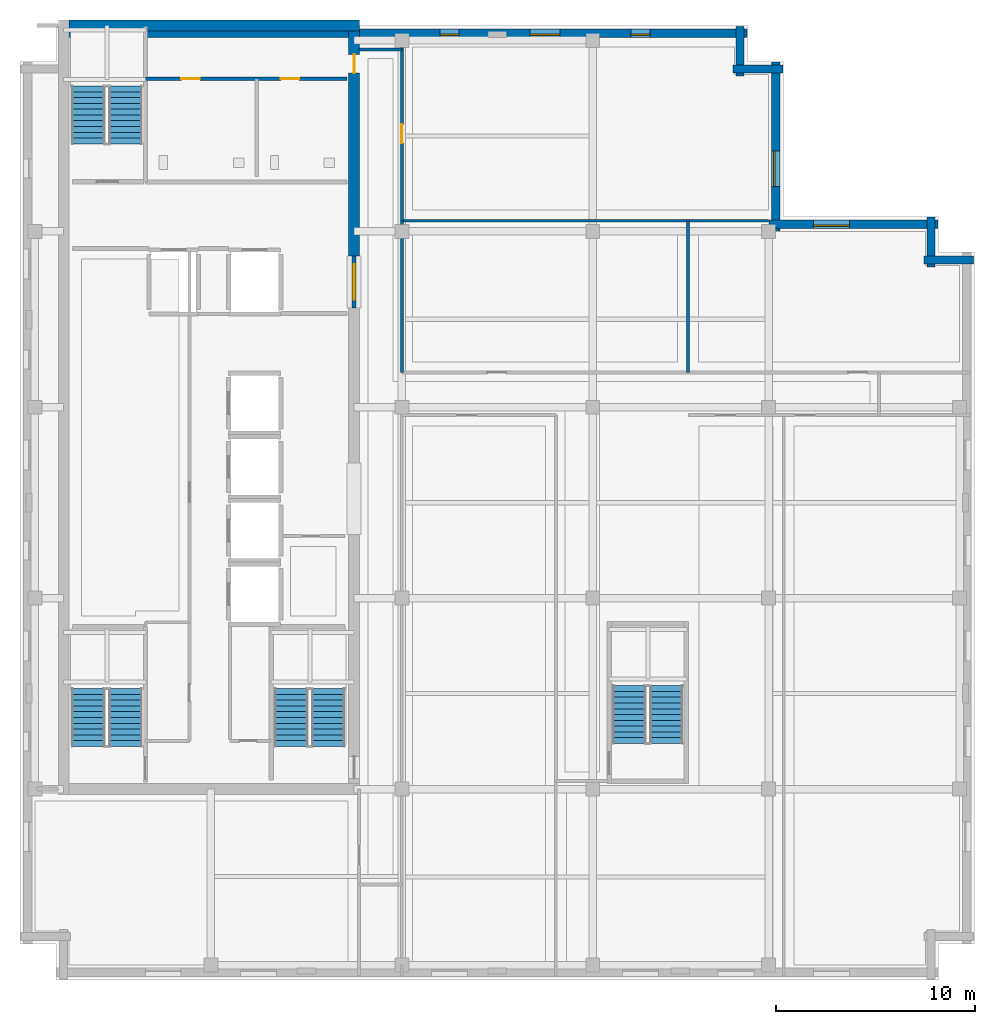
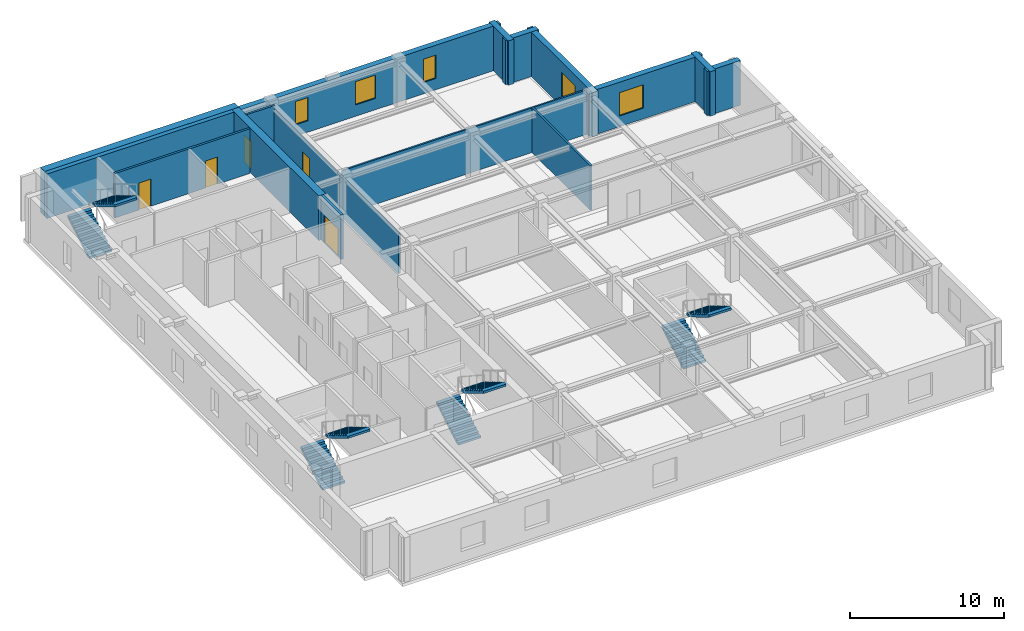
# One storey, part 5 of 10: 16 walls, 8 stair flights, 5 doors, 5 windows, 10 openings, 4 elements without a shape of their own.
"""IFC4 building model written with IfcOpenShell, lengths in metres."""

from ifc_helpers import new_model, si_unit, direction, frame, frame_2d, origin, place, context, subcontext, project, spatial, polyline, rectangle, outline, extrude, material, layer, layer_set, type_object, element, fill, aggregate, save


model = new_model("IFC4")

# Units and contexts
model_context = context("Model", 3, precision=1e-05, world=origin(), true_north=direction((0.0, 1.0)))
body_context = subcontext(model_context, "Body", "Model", "MODEL_VIEW")
ifc_project = project(units=[si_unit("LENGTHUNIT", "METRE"), si_unit("AREAUNIT", "SQUARE_METRE"), si_unit("VOLUMEUNIT", "CUBIC_METRE"), si_unit("PLANEANGLEUNIT", "RADIAN"), si_unit("MASSUNIT", "GRAM", prefix="KILO")], contexts=[model_context])

# Site, building, storey
site_placement = place(None, origin())
site = spatial("IfcSite", under=ifc_project, at=site_placement, CompositionType="ELEMENT")
building_placement = place(site_placement, origin())
building = spatial("IfcBuilding", under=site, at=building_placement, Name="Norrvale University Quadrangle", CompositionType="ELEMENT")
storey_placement = place(building_placement, frame((0.0, 0.0, 292.39990234375)))
storey = spatial("IfcBuildingStorey", under=building, at=storey_placement, Name="L74", CompositionType="ELEMENT", Elevation=292.39990234375)

# Walls
ifc_material_1 = material(Name="Buff Norman Clay Brick Masonry", Category="masonry")
ifc_layer_1 = layer(ifc_material_1, 0.419921875, Name="Buff Norman Clay Brick Masonry")
ifc_layer_set_1 = layer_set([ifc_layer_1], Name="Buff Norman Clay Brick Masonry")
wall_type_1 = type_object("IfcWallType", Name="Wall Buff Brick 420", PredefinedType="SOLIDWALL", material=ifc_layer_set_1)
for number, where, z_axis, x_axis, name in (
    (1, (47.9599609375, 36.2099609375, 0.0), (0.0, 0.0, 1.0), (-1.0, 0.0, 0.0), "Exterior Brick Facade Wall L74-05.1"),
    (2, (45.81005859375, 35.860107421875, 0.0), (0.0, 0.0, 1.0), (0.0, 1.0, 0.0), "Exterior Brick Facade Wall L74-06.1"),
):
    element("IfcWall", number, at=place(storey_placement, frame(where, z_axis=z_axis, x_axis=x_axis)), inside=storey, type_object=wall_type_1, Name=name, PredefinedType="SOLIDWALL", context=body_context, shape_type="SweptSolid", body=[
        extrude(rectangle(XDim=2.5, YDim=0.419921875, at=frame_2d((1.25, 0.0))), origin(), (0.0, 0.0, 1.0), 3.5400390625),
    ])

# Wall, opening, window
wall_1_placement = place(storey_placement, frame((46.159912109375, 38.010009765625, 0.0), z_axis=(0.0, 0.0, 1.0), x_axis=(-1.0, 0.0, 0.0)))
wall_1 = element("IfcWall", 3, at=wall_1_placement, inside=storey, type_object=wall_type_1, Name="Exterior Brick Facade Wall L74-07.1", PredefinedType="SOLIDWALL", context=body_context, shape_type="SweptSolid", body=[
    extrude(rectangle(XDim=8.5, YDim=0.419921875, at=frame_2d((4.25, 0.0))), origin(), (0.0, 0.0, 1.0), 3.5400390625),
])
opening_1_placement = place(wall_1_placement, frame((4.4599609375, 0.0, 0.85009765625)))
opening_1 = element("IfcOpeningElement", 4, at=opening_1_placement, cuts=wall_1, Name="Opening W01", PredefinedType="OPENING", context=body_context, shape_type="SweptSolid", body=[
    extrude(rectangle(XDim=1.800048828125, YDim=1.85009765625, at=frame_2d((0.89990234375, 0.925048828125))), frame((0.0, 0.221923828125, 0.0), z_axis=(0.0, -1.0, 0.0), x_axis=(1.0, 0.0, 0.0)), (0.0, 0.0, 1.0), 0.44384765625),
])
ifc_material_2 = material(Name="Triple Low-E Argon Glazing", Category="glass")
window_type_1 = type_object("IfcWindowType", Name="Window Academic 1800x2300", PartitioningType="DOUBLE_PANEL_VERTICAL", PredefinedType="WINDOW", material=ifc_material_2)
window_1_placement = place(opening_1_placement, origin())
window_1 = element("IfcWindow", 5, at=window_1_placement, inside=storey, type_object=window_type_1, Name="Window Academic 1800x2300 WIN-L74-E07-1-01", OverallHeight=1.85009765625, OverallWidth=1.800048828125, PartitioningType="DOUBLE_PANEL_VERTICAL", PredefinedType="WINDOW", context=body_context, shape_type="SweptSolid", body=[
    extrude(rectangle(XDim=1.800048828125, YDim=1.85009765625, at=frame_2d((0.89990234375, 0.925048828125))), frame((0.0, 0.110107421875, 0.0), z_axis=(0.0, -1.0, 0.0), x_axis=(1.0, 0.0, 0.0)), (0.0, 0.0, 1.0), 0.06005859375),
])
fill(opening_1, window_1)

wall_2_placement = place(storey_placement, frame((38.010009765625, 37.659912109375, 0.0), z_axis=(0.0, 0.0, 1.0), x_axis=(0.0, 1.0, 0.0)))
wall_2 = element("IfcWall", 6, at=wall_2_placement, inside=storey, type_object=wall_type_1, Name="Exterior Brick Facade Wall L74-08.1", PredefinedType="SOLIDWALL", context=body_context, shape_type="SweptSolid", body=[
    extrude(rectangle(XDim=8.5, YDim=0.419921875, at=frame_2d((4.25, 0.0))), origin(), (0.0, 0.0, 1.0), 3.5400390625),
])
opening_2_placement = place(wall_2_placement, frame((2.239990234375, 0.0, 0.85009765625)))
opening_2 = element("IfcOpeningElement", 7, at=opening_2_placement, cuts=wall_2, Name="Opening W01", PredefinedType="OPENING", context=body_context, shape_type="SweptSolid", body=[
    extrude(rectangle(XDim=1.800048828125, YDim=1.85009765625, at=frame_2d((0.89990234375, 0.925048828125))), frame((0.0, 0.221923828125, 0.0), z_axis=(0.0, -1.0, 0.0), x_axis=(1.0, 0.0, 0.0)), (0.0, 0.0, 1.0), 0.44384765625),
])
window_2_placement = place(opening_2_placement, origin())
window_2 = element("IfcWindow", 8, at=window_2_placement, inside=storey, type_object=window_type_1, Name="Window Academic 1800x2300 WIN-L74-E08-1-01", OverallHeight=1.85009765625, OverallWidth=1.800048828125, PartitioningType="DOUBLE_PANEL_VERTICAL", PredefinedType="WINDOW", context=body_context, shape_type="SweptSolid", body=[
    extrude(rectangle(XDim=1.800048828125, YDim=1.85009765625, at=frame_2d((0.89990234375, 0.925048828125))), frame((0.0, 0.110107421875, 0.0), z_axis=(0.0, -1.0, 0.0), x_axis=(1.0, 0.0, 0.0)), (0.0, 0.0, 1.0), 0.06005859375),
])
fill(opening_2, window_2)

# Walls
for number, where, z_axis, x_axis, name in (
    (9, (38.360107421875, 45.81005859375, 0.0), (0.0, 0.0, 1.0), (-1.0, 0.0, 0.0), "Exterior Brick Facade Wall L74-09.1"),
    (10, (36.2099609375, 45.4599609375, 0.0), (0.0, 0.0, 1.0), (0.0, 1.0, 0.0), "Exterior Brick Facade Wall L74-10.1"),
):
    element("IfcWall", number, at=place(storey_placement, frame(where, z_axis=z_axis, x_axis=x_axis)), inside=storey, type_object=wall_type_1, Name=name, PredefinedType="SOLIDWALL", context=body_context, shape_type="SweptSolid", body=[
        extrude(rectangle(XDim=2.5, YDim=0.419921875, at=frame_2d((1.25, 0.0))), origin(), (0.0, 0.0, 1.0), 3.5400390625),
    ])

# Wall, openings, windows
wall_3_placement = place(storey_placement, frame((36.56005859375, 47.610107421875, 0.0), z_axis=(0.0, 0.0, 1.0), x_axis=(-1.0, 0.0, 0.0)))
wall_3 = element("IfcWall", 11, at=wall_3_placement, inside=storey, type_object=wall_type_1, Name="Exterior Brick Facade Wall L74-11.1", PredefinedType="SOLIDWALL", context=body_context, shape_type="SweptSolid", body=[
    extrude(rectangle(XDim=34.0849609375, YDim=0.419921875, at=frame_2d((17.04248046875, 0.0))), origin(), (0.0, 0.0, 1.0), 3.5400390625),
])
opening_3_placement = place(wall_3_placement, frame((4.885009765625, 0.0, 0.89990234375)))
opening_3 = element("IfcOpeningElement", 12, at=opening_3_placement, cuts=wall_3, Name="Opening W04", PredefinedType="OPENING", context=body_context, shape_type="SweptSolid", body=[
    extrude(rectangle(XDim=0.949951171875, YDim=1.85009765625, at=frame_2d((0.47509765625, 0.925048828125))), frame((0.0, 0.221923828125, 0.0), z_axis=(0.0, -1.0, 0.0), x_axis=(1.0, 0.0, 0.0)), (0.0, 0.0, 1.0), 0.44384765625),
])
opening_4_placement = place(wall_3_placement, frame((9.409912109375, 0.0, 0.89990234375)))
opening_4 = element("IfcOpeningElement", 13, at=opening_4_placement, cuts=wall_3, Name="Opening W03", PredefinedType="OPENING", context=body_context, shape_type="SweptSolid", body=[
    extrude(rectangle(XDim=1.5, YDim=1.85009765625, at=frame_2d((0.75, 0.925048828125))), frame((0.0, 0.221923828125, 0.0), z_axis=(0.0, -1.0, 0.0), x_axis=(1.0, 0.0, 0.0)), (0.0, 0.0, 1.0), 0.44384765625),
])
opening_5_placement = place(wall_3_placement, frame((14.485107421875, 0.0, 0.89990234375)))
opening_5 = element("IfcOpeningElement", 14, at=opening_5_placement, cuts=wall_3, Name="Opening W04", PredefinedType="OPENING", context=body_context, shape_type="SweptSolid", body=[
    extrude(rectangle(XDim=0.949951171875, YDim=1.85009765625, at=frame_2d((0.47509765625, 0.925048828125))), frame((0.0, 0.221923828125, 0.0), z_axis=(0.0, -1.0, 0.0), x_axis=(1.0, 0.0, 0.0)), (0.0, 0.0, 1.0), 0.44384765625),
])
window_type_2 = type_object("IfcWindowType", Name="Window Narrow Pier 950x2300", PartitioningType="SINGLE_PANEL", PredefinedType="WINDOW", material=ifc_material_2)
window_3_placement = place(opening_3_placement, origin())
window_3 = element("IfcWindow", 15, at=window_3_placement, inside=storey, type_object=window_type_2, Name="Window Narrow Pier 950x2300 WIN-L74-E11-1-01", OverallHeight=1.85009765625, OverallWidth=0.949951171875, PartitioningType="SINGLE_PANEL", PredefinedType="WINDOW", context=body_context, shape_type="SweptSolid", body=[
    extrude(rectangle(XDim=0.949951171875, YDim=1.85009765625, at=frame_2d((0.47509765625, 0.925048828125))), frame((0.0, 0.110107421875, 0.0), z_axis=(0.0, -1.0, 0.0), x_axis=(1.0, 0.0, 0.0)), (0.0, 0.0, 1.0), 0.06005859375),
])
fill(opening_3, window_3)
window_4_placement = place(opening_5_placement, origin())
window_4 = element("IfcWindow", 16, at=window_4_placement, inside=storey, type_object=window_type_2, Name="Window Narrow Pier 950x2300 WIN-L74-E11-1-03", OverallHeight=1.85009765625, OverallWidth=0.949951171875, PartitioningType="SINGLE_PANEL", PredefinedType="WINDOW", context=body_context, shape_type="SweptSolid", body=[
    extrude(rectangle(XDim=0.949951171875, YDim=1.85009765625, at=frame_2d((0.47509765625, 0.925048828125))), frame((0.0, 0.110107421875, 0.0), z_axis=(0.0, -1.0, 0.0), x_axis=(1.0, 0.0, 0.0)), (0.0, 0.0, 1.0), 0.06005859375),
])
fill(opening_5, window_4)
window_type_3 = type_object("IfcWindowType", Name="Window Studio 1500x2300", PartitioningType="DOUBLE_PANEL_VERTICAL", PredefinedType="WINDOW", material=ifc_material_2)
window_5_placement = place(opening_4_placement, origin())
window_5 = element("IfcWindow", 17, at=window_5_placement, inside=storey, type_object=window_type_3, Name="Window Studio 1500x2300 WIN-L74-E11-1-02", OverallHeight=1.85009765625, OverallWidth=1.5, PartitioningType="DOUBLE_PANEL_VERTICAL", PredefinedType="WINDOW", context=body_context, shape_type="SweptSolid", body=[
    extrude(rectangle(XDim=1.5, YDim=1.85009765625, at=frame_2d((0.75, 0.925048828125))), frame((0.0, 0.110107421875, 0.0), z_axis=(0.0, -1.0, 0.0), x_axis=(1.0, 0.0, 0.0)), (0.0, 0.0, 1.0), 0.06005859375),
])
fill(opening_4, window_5)

# Wall
ifc_material_3 = material(Name="Concrete C60/75", Category="concrete")
ifc_layer_2 = layer(ifc_material_3, 0.550048828125, Name="Concrete C60/75")
ifc_layer_set_2 = layer_set([ifc_layer_2], Name="Concrete C60/75")
wall_type_2 = type_object("IfcWallType", Name="Wall Core 550", PredefinedType="SHEAR", material=ifc_layer_set_2)
wall_4_placement = place(storey_placement, frame((2.47509765625, 48.0, 0.0), z_axis=(0.0, 0.0, 1.0), x_axis=(1.0, 0.0, 0.0)))
element("IfcWall", 18, at=wall_4_placement, inside=storey, type_object=wall_type_2, Name="Tower Core Shear Wall L74-N", PredefinedType="SHEAR", context=body_context, shape_type="SweptSolid", body=[
    extrude(rectangle(XDim=14.599853515625, YDim=0.550048828125, at=frame_2d((7.2998046875, 0.0))), origin(), (0.0, 0.0, 1.0), 3.5400390625),
])

# Wall, opening, door
wall_5_placement = place(storey_placement, frame((16.800048828125, 36.39990234375, 0.0), z_axis=(0.0, 0.0, 1.0), x_axis=(0.0, 1.0, 0.0)))
wall_5 = element("IfcWall", 19, at=wall_5_placement, inside=storey, type_object=wall_type_2, Name="Tower Core Shear Wall L74-E3", PredefinedType="SHEAR", context=body_context, shape_type="SweptSolid", body=[
    extrude(rectangle(XDim=11.3251953125, YDim=0.550048828125, at=frame_2d((5.66259765625, 0.0))), origin(), (0.0, 0.0, 1.0), 3.5400390625),
])
opening_6_placement = place(wall_5_placement, frame((9.199951171875, 0.0, 0.0)))
opening_6 = element("IfcOpeningElement", 20, at=opening_6_placement, cuts=wall_5, Name="Opening D07", PredefinedType="OPENING", context=body_context, shape_type="SweptSolid", body=[
    extrude(rectangle(XDim=0.949951171875, YDim=2.14990234375, at=frame_2d((0.47509765625, 1.074951171875))), frame((0.0, 0.287109375, 0.0), z_axis=(0.0, -1.0, 0.0), x_axis=(1.0, 0.0, 0.0)), (0.0, 0.0, 1.0), 0.573974609375),
])
ifc_material_4 = material(Name="Solid-Core Maple Door", Category="wood")
door_type_1 = type_object("IfcDoorType", Name="Door Office 950x2150", OperationType="NOTDEFINED", PredefinedType="DOOR", material=ifc_material_4)
door_1_placement = place(opening_6_placement, origin())
door_1 = element("IfcDoor", 21, at=door_1_placement, inside=storey, type_object=door_type_1, Name="Door Office 950x2150 DR-L74-NECORR", OperationType="SINGLE_SWING_LEFT", OverallHeight=2.14990234375, OverallWidth=0.949951171875, PredefinedType="DOOR", context=body_context, shape_type="SweptSolid", body=[
    extrude(rectangle(XDim=0.949951171875, YDim=2.14990234375, at=frame_2d((0.47509765625, 1.074951171875))), frame((0.0, 0.02490234375, 0.0), z_axis=(0.0, -1.0, 0.0), x_axis=(1.0, 0.0, 0.0)), (0.0, 0.0, 1.0), 0.050048828125),
])
fill(opening_6, door_1)

# Walls
ifc_material_5 = material(Name="Standard Academic Gypsum Partition")
ifc_layer_3 = layer(ifc_material_5, 0.125, Name="Standard Academic Gypsum Partition")
ifc_layer_set_3 = layer_set([ifc_layer_3], Name="Standard Academic Gypsum Partition")
wall_type_3 = type_object("IfcWallType", Name="Wall Gypsum Academic 125", PredefinedType="PARTITIONING", material=ifc_layer_set_3)
wall_6_placement = place(storey_placement, frame((19.280029296875, 38.179931640625, 0.0), z_axis=(0.0, 0.0, 1.0), x_axis=(1.0, 0.0, 0.0)))
element("IfcWall", 22, at=wall_6_placement, inside=storey, type_object=wall_type_3, Name="Interior Partition WL-L74-ME-N", PredefinedType="PARTITIONING", context=body_context, shape_type="SweptSolid", body=[
    extrude(rectangle(XDim=18.369873046875, YDim=0.125, at=frame_2d((9.18505859375, 0.0))), origin(), (0.0, 0.0, 1.0), 3.5400390625),
])
ifc_material_6 = material(Name="Fire-Rated Gypsum Stud Partition")
ifc_layer_4 = layer(ifc_material_6, 0.14990234375, Name="Fire-Rated Gypsum Stud Partition")
ifc_layer_set_4 = layer_set([ifc_layer_4], Name="Fire-Rated Gypsum Stud Partition")
wall_type_4 = type_object("IfcWallType", Name="Wall Gypsum Corridor 150", PredefinedType="PARTITIONING", material=ifc_layer_set_4)
wall_7_placement = place(storey_placement, frame((17.050048828125, 46.800048828125, 0.0), z_axis=(0.0, 0.0, 1.0), x_axis=(1.0, 0.0, 0.0)))
element("IfcWall", 23, at=wall_7_placement, inside=storey, type_object=wall_type_4, Name="Interior Partition WL-L74-CSP-N", PredefinedType="PARTITIONING", context=body_context, shape_type="SweptSolid", body=[
    extrude(rectangle(XDim=2.14990234375, YDim=0.14990234375, at=frame_2d((1.074951171875, 0.0))), origin(), (0.0, 0.0, 1.0), 3.5400390625),
])
wall_8_placement = place(storey_placement, frame((33.60009765625, 30.550048828125, 0.0), z_axis=(0.0, 0.0, 1.0), x_axis=(0.0, 1.0, 0.0)))
element("IfcWall", 24, at=wall_8_placement, inside=storey, type_object=wall_type_4, Name="Interior Partition WL-L74-MEP01", PredefinedType="PARTITIONING", context=body_context, shape_type="SweptSolid", body=[
    extrude(rectangle(XDim=7.6298828125, YDim=0.14990234375, at=frame_2d((3.81494140625, 0.0))), origin(), (0.0, 0.0, 1.0), 3.5400390625),
])
wall_9_placement = place(storey_placement, frame((19.199951171875, 30.550048828125, 0.0), z_axis=(0.0, 0.0, 1.0), x_axis=(0.0, 1.0, 0.0)))
element("IfcWall", 25, at=wall_9_placement, inside=storey, type_object=wall_type_4, Name="Interior Partition WL-L74-ME-W", PredefinedType="PARTITIONING", context=body_context, shape_type="SweptSolid", body=[
    extrude(rectangle(XDim=7.6298828125, YDim=0.14990234375, at=frame_2d((3.81494140625, 0.0))), origin(), (0.0, 0.0, 1.0), 3.18408203125),
])

# Wall, opening, door
wall_10_placement = place(storey_placement, frame((19.199951171875, 38.179931640625, 0.0), z_axis=(0.0, 0.0, 1.0), x_axis=(0.0, 1.0, 0.0)))
wall_10 = element("IfcWall", 26, at=wall_10_placement, inside=storey, type_object=wall_type_4, Name="Interior Partition WL-L74-NECW", PredefinedType="PARTITIONING", context=body_context, shape_type="SweptSolid", body=[
    extrude(rectangle(XDim=9.27001953125, YDim=0.14990234375, at=frame_2d((4.635009765625, 0.0))), origin(), (0.0, 0.0, 1.0), 3.18408203125),
])
opening_7_placement = place(wall_10_placement, frame((3.89990234375, 0.0, 0.0)))
opening_7 = element("IfcOpeningElement", 27, at=opening_7_placement, cuts=wall_10, Name="Opening D07", PredefinedType="OPENING", context=body_context, shape_type="SweptSolid", body=[
    extrude(rectangle(XDim=0.949951171875, YDim=2.14990234375, at=frame_2d((0.47509765625, 1.074951171875))), frame((0.0, 0.0869140625, 0.0), z_axis=(0.0, -1.0, 0.0), x_axis=(1.0, 0.0, 0.0)), (0.0, 0.0, 1.0), 0.173828125),
])
door_2_placement = place(opening_7_placement, origin())
door_2 = element("IfcDoor", 28, at=door_2_placement, inside=storey, type_object=door_type_1, Name="Door Office 950x2150 DR-L74-NE01", OperationType="SINGLE_SWING_RIGHT", OverallHeight=2.14990234375, OverallWidth=0.949951171875, PredefinedType="DOOR", context=body_context, shape_type="SweptSolid", body=[
    extrude(rectangle(XDim=0.949951171875, YDim=2.14990234375, at=frame_2d((0.47509765625, 1.074951171875))), frame((0.0, 0.02490234375, 0.0), z_axis=(0.0, -1.0, 0.0), x_axis=(1.0, 0.0, 0.0)), (0.0, 0.0, 1.0), 0.050048828125),
])
fill(opening_7, door_2)

# Wall, openings, doors
ifc_material_7 = material(Name="Sanitary Chase Gypsum Partition")
ifc_layer_5 = layer(ifc_material_7, 0.1650390625, Name="Sanitary Chase Gypsum Partition")
ifc_layer_set_5 = layer_set([ifc_layer_5], Name="Sanitary Chase Gypsum Partition")
wall_type_5 = type_object("IfcWallType", Name="Wall Gypsum Sanitary 165", PredefinedType="PLUMBINGWALL", material=ifc_layer_set_5)
wall_11_placement = place(storey_placement, frame((6.320068359375, 45.320068359375, 0.0), z_axis=(0.0, 0.0, 1.0), x_axis=(1.0, 0.0, 0.0)))
wall_11 = element("IfcWall", 29, at=wall_11_placement, inside=storey, type_object=wall_type_5, Name="Interior Partition WL-L74-WCN", PredefinedType="PLUMBINGWALL", context=body_context, shape_type="SweptSolid", body=[
    extrude(rectangle(XDim=10.1298828125, YDim=0.1650390625, at=frame_2d((5.06494140625, 0.0))), origin(), (0.0, 0.0, 1.0), 3.5400390625),
])
opening_8_placement = place(wall_11_placement, frame((1.800048828125, 0.0, 0.0)))
opening_8 = element("IfcOpeningElement", 30, at=opening_8_placement, cuts=wall_11, Name="Opening D08", PredefinedType="OPENING", context=body_context, shape_type="SweptSolid", body=[
    extrude(rectangle(XDim=0.919921875, YDim=2.14990234375, at=frame_2d((0.4599609375, 1.074951171875))), frame((0.0, 0.094482421875, 0.0), z_axis=(0.0, -1.0, 0.0), x_axis=(1.0, 0.0, 0.0)), (0.0, 0.0, 1.0), 0.18896484375),
])
opening_9_placement = place(wall_11_placement, frame((6.800048828125, 0.0, 0.0)))
opening_9 = element("IfcOpeningElement", 31, at=opening_9_placement, cuts=wall_11, Name="Opening D08", PredefinedType="OPENING", context=body_context, shape_type="SweptSolid", body=[
    extrude(rectangle(XDim=0.919921875, YDim=2.14990234375, at=frame_2d((0.4599609375, 1.074951171875))), frame((0.0, 0.094482421875, 0.0), z_axis=(0.0, -1.0, 0.0), x_axis=(1.0, 0.0, 0.0)), (0.0, 0.0, 1.0), 0.18896484375),
])
ifc_material_8 = material(Name="Laminate Washroom Door", Category="wood")
door_type_2 = type_object("IfcDoorType", Name="Door Washroom 920x2150", OperationType="NOTDEFINED", PredefinedType="DOOR", material=ifc_material_8)
door_3_placement = place(opening_8_placement, origin())
door_3 = element("IfcDoor", 32, at=door_3_placement, inside=storey, type_object=door_type_2, Name="Door Washroom 920x2150 DR-L74-WC1", OperationType="SINGLE_SWING_LEFT", OverallHeight=2.14990234375, OverallWidth=0.919921875, PredefinedType="DOOR", context=body_context, shape_type="SweptSolid", body=[
    extrude(rectangle(XDim=0.919921875, YDim=2.14990234375, at=frame_2d((0.4599609375, 1.074951171875))), frame((0.0, 0.02490234375, 0.0), z_axis=(0.0, -1.0, 0.0), x_axis=(1.0, 0.0, 0.0)), (0.0, 0.0, 1.0), 0.050048828125),
])
fill(opening_8, door_3)
door_4_placement = place(opening_9_placement, origin())
door_4 = element("IfcDoor", 33, at=door_4_placement, inside=storey, type_object=door_type_2, Name="Door Washroom 920x2150 DR-L74-WC2", OperationType="SINGLE_SWING_RIGHT", OverallHeight=2.14990234375, OverallWidth=0.919921875, PredefinedType="DOOR", context=body_context, shape_type="SweptSolid", body=[
    extrude(rectangle(XDim=0.919921875, YDim=2.14990234375, at=frame_2d((0.4599609375, 1.074951171875))), frame((0.0, 0.02490234375, 0.0), z_axis=(0.0, -1.0, 0.0), x_axis=(1.0, 0.0, 0.0)), (0.0, 0.0, 1.0), 0.050048828125),
])
fill(opening_9, door_4)

# Wall, opening, door
ifc_material_9 = material(Name="Concrete Blockwork 20 MPa Rated Wall", Category="masonry")
ifc_layer_6 = layer(ifc_material_9, 0.199951171875, Name="Concrete Blockwork 20 MPa Rated Wall")
ifc_layer_set_6 = layer_set([ifc_layer_6], Name="Concrete Blockwork 20 MPa Rated Wall")
wall_type_6 = type_object("IfcWallType", Name="Wall Lobby 200", PredefinedType="SOLIDWALL", material=ifc_layer_set_6)
wall_12_placement = place(storey_placement, frame((16.800048828125, 33.800048828125, 0.0), z_axis=(0.0, 0.0, 1.0), x_axis=(0.0, 1.0, 0.0)))
wall_12 = element("IfcWall", 34, at=wall_12_placement, inside=storey, type_object=wall_type_6, Name="Interior Partition WL-L74-FFP", PredefinedType="SOLIDWALL", context=body_context, shape_type="SweptSolid", body=[
    extrude(rectangle(XDim=2.599853515625, YDim=0.199951171875, at=frame_2d((1.2998046875, 0.0))), origin(), (0.0, 0.0, 1.0), 3.5400390625),
])
opening_10_placement = place(wall_12_placement, frame((0.39990234375, 0.0, 0.0)))
opening_10 = element("IfcOpeningElement", 35, at=opening_10_placement, cuts=wall_12, Name="Opening D03", PredefinedType="OPENING", context=body_context, shape_type="SweptSolid", body=[
    extrude(rectangle(XDim=1.800048828125, YDim=2.199951171875, at=frame_2d((0.89990234375, 1.10009765625))), frame((0.0, 0.112060546875, 0.0), z_axis=(0.0, -1.0, 0.0), x_axis=(1.0, 0.0, 0.0)), (0.0, 0.0, 1.0), 0.223876953125),
])
ifc_material_10 = material(Name="Hollow Steel 350W Fire Door", Category="steel")
door_type_3 = type_object("IfcDoorType", Name="Door Fire Lobby 1800x2200", OperationType="DOUBLE_DOOR_SINGLE_SWING", PredefinedType="DOOR", material=ifc_material_10)
door_5_placement = place(opening_10_placement, origin())
door_5 = element("IfcDoor", 36, at=door_5_placement, inside=storey, type_object=door_type_3, Name="Door Fire Lobby 1800x2200 DR-L74-FFP", OperationType="DOUBLE_DOOR_SINGLE_SWING", OverallHeight=2.199951171875, OverallWidth=1.800048828125, PredefinedType="DOOR", context=body_context, shape_type="SweptSolid", body=[
    extrude(rectangle(XDim=1.800048828125, YDim=2.199951171875, at=frame_2d((0.89990234375, 1.10009765625))), frame((0.0, 0.02490234375, 0.0), z_axis=(0.0, -1.0, 0.0), x_axis=(1.0, 0.0, 0.0)), (0.0, 0.0, 1.0), 0.050048828125),
])
fill(opening_10, door_5)

# Stair, stair flights
ifc_material_11 = material(Name="Concrete C40/50", Category="concrete")
stair_type = type_object("IfcStairType", Name="Stair Tower Typ 3800", PredefinedType="TWO_STRAIGHT_RUN_STAIR", material=ifc_material_11)
stair_1_placement = place(storey_placement, origin())
stair_1 = element("IfcStair", 37, at=stair_1_placement, inside=storey, type_object=stair_type, Name="Exit Stair ST-01 L74", PredefinedType="TWO_STRAIGHT_RUN_STAIR")
stair_flight_type = type_object("IfcStairFlightType", Name="Flight Typ 1500", PredefinedType="STRAIGHT", material=ifc_material_11)
stair_flight_1_placement = place(storey_placement, frame((3.429931640625, 11.75, 0.0), z_axis=(0.0, 0.0, 1.0), x_axis=(0.0, 1.0, 0.0)))
stair_flight_1 = element("IfcStairFlight", 38, at=stair_flight_1_placement, type_object=stair_flight_type, Name="Exit Stair ST-01 L74 Lower Flight", NumberOfRisers=11, NumberOfTreads=10, PredefinedType="STRAIGHT", RiserHeight=0.172727, TreadLength=0.29, context=body_context, shape_type="SweptSolid", body=[
    extrude(outline(polyline([(0.0, 0.0), (0.0, 0.172607421875), (0.2900390625, 0.172607421875), (0.2900390625, 0.345458984375), (0.580078125, 0.345458984375), (0.580078125, 0.51806640625), (0.8701171875, 0.51806640625), (0.8701171875, 0.69091796875), (1.159912109375, 0.69091796875), (1.159912109375, 0.863525390625), (1.449951171875, 0.863525390625), (1.449951171875, 1.036376953125), (1.739990234375, 1.036376953125), (1.739990234375, 1.208984375), (2.030029296875, 1.208984375), (2.030029296875, 1.3818359375), (2.320068359375, 1.3818359375), (2.320068359375, 1.554443359375), (2.610107421875, 1.554443359375), (2.610107421875, 1.727294921875), (2.89990234375, 1.727294921875), (2.89990234375, 1.89990234375), (2.89990234375, 1.552734375), (0.29296875, 0.0), (0.0, 0.0)])), frame((0.0, 0.83984375, 0.0), z_axis=(0.0, -1.0, 0.0), x_axis=(1.0, 0.0, 0.0)), (0.0, 0.0, 1.0), 1.679931640625),
])
stair_flight_2_placement = place(storey_placement, frame((5.320068359375, 14.64990234375, 1.900146484375), z_axis=(0.0, 0.0, 1.0), x_axis=(0.0, -1.0, 0.0)))
stair_flight_2 = element("IfcStairFlight", 39, at=stair_flight_2_placement, type_object=stair_flight_type, Name="Exit Stair ST-01 L74 Upper Flight", NumberOfRisers=11, NumberOfTreads=10, PredefinedType="STRAIGHT", RiserHeight=0.172727, TreadLength=0.29, context=body_context, shape_type="SweptSolid", body=[
    extrude(outline(polyline([(0.0, 0.0), (0.0, 0.172607421875), (0.2900390625, 0.172607421875), (0.2900390625, 0.345458984375), (0.580078125, 0.345458984375), (0.580078125, 0.51806640625), (0.8701171875, 0.51806640625), (0.8701171875, 0.69091796875), (1.159912109375, 0.69091796875), (1.159912109375, 0.863525390625), (1.449951171875, 0.863525390625), (1.449951171875, 1.036376953125), (1.739990234375, 1.036376953125), (1.739990234375, 1.208984375), (2.030029296875, 1.208984375), (2.030029296875, 1.3818359375), (2.320068359375, 1.3818359375), (2.320068359375, 1.554443359375), (2.610107421875, 1.554443359375), (2.610107421875, 1.727294921875), (2.89990234375, 1.727294921875), (2.89990234375, 1.89990234375), (2.89990234375, 1.552734375), (0.29296875, 0.0), (0.0, 0.0)])), frame((0.0, 0.83984375, 0.0), z_axis=(0.0, -1.0, 0.0), x_axis=(1.0, 0.0, 0.0)), (0.0, 0.0, 1.0), 1.679931640625),
])
aggregate(stair_1, [stair_flight_1, stair_flight_2])

stair_2_placement = place(storey_placement, origin())
stair_2 = element("IfcStair", 40, at=stair_2_placement, inside=storey, type_object=stair_type, Name="Exit Stair ST-02 L74", PredefinedType="TWO_STRAIGHT_RUN_STAIR")
stair_flight_3_placement = place(storey_placement, frame((3.429931640625, 42.050048828125, 0.0), z_axis=(0.0, 0.0, 1.0), x_axis=(0.0, 1.0, 0.0)))
stair_flight_3 = element("IfcStairFlight", 41, at=stair_flight_3_placement, type_object=stair_flight_type, Name="Exit Stair ST-02 L74 Lower Flight", NumberOfRisers=11, NumberOfTreads=10, PredefinedType="STRAIGHT", RiserHeight=0.172727, TreadLength=0.29, context=body_context, shape_type="SweptSolid", body=[
    extrude(outline(polyline([(0.0, 0.0), (0.0, 0.172607421875), (0.2900390625, 0.172607421875), (0.2900390625, 0.345458984375), (0.580078125, 0.345458984375), (0.580078125, 0.51806640625), (0.8701171875, 0.51806640625), (0.8701171875, 0.69091796875), (1.159912109375, 0.69091796875), (1.159912109375, 0.863525390625), (1.449951171875, 0.863525390625), (1.449951171875, 1.036376953125), (1.739990234375, 1.036376953125), (1.739990234375, 1.208984375), (2.030029296875, 1.208984375), (2.030029296875, 1.3818359375), (2.320068359375, 1.3818359375), (2.320068359375, 1.554443359375), (2.610107421875, 1.554443359375), (2.610107421875, 1.727294921875), (2.89990234375, 1.727294921875), (2.89990234375, 1.89990234375), (2.89990234375, 1.552734375), (0.29296875, 0.0), (0.0, 0.0)])), frame((0.0, 0.83984375, 0.0), z_axis=(0.0, -1.0, 0.0), x_axis=(1.0, 0.0, 0.0)), (0.0, 0.0, 1.0), 1.679931640625),
])
stair_flight_4_placement = place(storey_placement, frame((5.320068359375, 44.949951171875, 1.900146484375), z_axis=(0.0, 0.0, 1.0), x_axis=(0.0, -1.0, 0.0)))
stair_flight_4 = element("IfcStairFlight", 42, at=stair_flight_4_placement, type_object=stair_flight_type, Name="Exit Stair ST-02 L74 Upper Flight", NumberOfRisers=11, NumberOfTreads=10, PredefinedType="STRAIGHT", RiserHeight=0.172727, TreadLength=0.29, context=body_context, shape_type="SweptSolid", body=[
    extrude(outline(polyline([(0.0, 0.0), (0.0, 0.172607421875), (0.2900390625, 0.172607421875), (0.2900390625, 0.345458984375), (0.580078125, 0.345458984375), (0.580078125, 0.51806640625), (0.8701171875, 0.51806640625), (0.8701171875, 0.69091796875), (1.159912109375, 0.69091796875), (1.159912109375, 0.863525390625), (1.449951171875, 0.863525390625), (1.449951171875, 1.036376953125), (1.739990234375, 1.036376953125), (1.739990234375, 1.208984375), (2.030029296875, 1.208984375), (2.030029296875, 1.3818359375), (2.320068359375, 1.3818359375), (2.320068359375, 1.554443359375), (2.610107421875, 1.554443359375), (2.610107421875, 1.727294921875), (2.89990234375, 1.727294921875), (2.89990234375, 1.89990234375), (2.89990234375, 1.552734375), (0.29296875, 0.0), (0.0, 0.0)])), frame((0.0, 0.83984375, 0.0), z_axis=(0.0, -1.0, 0.0), x_axis=(1.0, 0.0, 0.0)), (0.0, 0.0, 1.0), 1.679931640625),
])
aggregate(stair_2, [stair_flight_3, stair_flight_4])

stair_3_placement = place(storey_placement, origin())
stair_3 = element("IfcStair", 43, at=stair_3_placement, inside=storey, type_object=stair_type, Name="Exit Stair ST-03 L74", PredefinedType="TWO_STRAIGHT_RUN_STAIR")
stair_flight_5_placement = place(storey_placement, frame((13.6298828125, 11.75, 0.0), z_axis=(0.0, 0.0, 1.0), x_axis=(0.0, 1.0, 0.0)))
stair_flight_5 = element("IfcStairFlight", 44, at=stair_flight_5_placement, type_object=stair_flight_type, Name="Exit Stair ST-03 L74 Lower Flight", NumberOfRisers=11, NumberOfTreads=10, PredefinedType="STRAIGHT", RiserHeight=0.172727, TreadLength=0.29, context=body_context, shape_type="SweptSolid", body=[
    extrude(outline(polyline([(0.0, 0.0), (0.0, 0.172607421875), (0.2900390625, 0.172607421875), (0.2900390625, 0.345458984375), (0.580078125, 0.345458984375), (0.580078125, 0.51806640625), (0.8701171875, 0.51806640625), (0.8701171875, 0.69091796875), (1.159912109375, 0.69091796875), (1.159912109375, 0.863525390625), (1.449951171875, 0.863525390625), (1.449951171875, 1.036376953125), (1.739990234375, 1.036376953125), (1.739990234375, 1.208984375), (2.030029296875, 1.208984375), (2.030029296875, 1.3818359375), (2.320068359375, 1.3818359375), (2.320068359375, 1.554443359375), (2.610107421875, 1.554443359375), (2.610107421875, 1.727294921875), (2.89990234375, 1.727294921875), (2.89990234375, 1.89990234375), (2.89990234375, 1.552734375), (0.29296875, 0.0), (0.0, 0.0)])), frame((0.0, 0.83984375, 0.0), z_axis=(0.0, -1.0, 0.0), x_axis=(1.0, 0.0, 0.0)), (0.0, 0.0, 1.0), 1.679931640625),
])
stair_flight_6_placement = place(storey_placement, frame((15.52001953125, 14.64990234375, 1.900146484375), z_axis=(0.0, 0.0, 1.0), x_axis=(0.0, -1.0, 0.0)))
stair_flight_6 = element("IfcStairFlight", 45, at=stair_flight_6_placement, type_object=stair_flight_type, Name="Exit Stair ST-03 L74 Upper Flight", NumberOfRisers=11, NumberOfTreads=10, PredefinedType="STRAIGHT", RiserHeight=0.172727, TreadLength=0.29, context=body_context, shape_type="SweptSolid", body=[
    extrude(outline(polyline([(0.0, 0.0), (0.0, 0.172607421875), (0.2900390625, 0.172607421875), (0.2900390625, 0.345458984375), (0.580078125, 0.345458984375), (0.580078125, 0.51806640625), (0.8701171875, 0.51806640625), (0.8701171875, 0.69091796875), (1.159912109375, 0.69091796875), (1.159912109375, 0.863525390625), (1.449951171875, 0.863525390625), (1.449951171875, 1.036376953125), (1.739990234375, 1.036376953125), (1.739990234375, 1.208984375), (2.030029296875, 1.208984375), (2.030029296875, 1.3818359375), (2.320068359375, 1.3818359375), (2.320068359375, 1.554443359375), (2.610107421875, 1.554443359375), (2.610107421875, 1.727294921875), (2.89990234375, 1.727294921875), (2.89990234375, 1.89990234375), (2.89990234375, 1.552734375), (0.29296875, 0.0), (0.0, 0.0)])), frame((0.0, 0.83984375, 0.0), z_axis=(0.0, -1.0, 0.0), x_axis=(1.0, 0.0, 0.0)), (0.0, 0.0, 1.0), 1.679931640625),
])
aggregate(stair_3, [stair_flight_5, stair_flight_6])

stair_4_placement = place(storey_placement, origin())
stair_4 = element("IfcStair", 46, at=stair_4_placement, inside=storey, type_object=stair_type, Name="Exit Stair ST-04 L74", PredefinedType="TWO_STRAIGHT_RUN_STAIR")
stair_flight_7_placement = place(storey_placement, frame((30.6298828125, 11.89990234375, 0.0), z_axis=(0.0, 0.0, 1.0), x_axis=(0.0, 1.0, 0.0)))
stair_flight_7 = element("IfcStairFlight", 47, at=stair_flight_7_placement, type_object=stair_flight_type, Name="Exit Stair ST-04 L74 Lower Flight", NumberOfRisers=11, NumberOfTreads=10, PredefinedType="STRAIGHT", RiserHeight=0.172727, TreadLength=0.29, context=body_context, shape_type="SweptSolid", body=[
    extrude(outline(polyline([(0.0, 0.0), (0.0, 0.172607421875), (0.2900390625, 0.172607421875), (0.2900390625, 0.345458984375), (0.580078125, 0.345458984375), (0.580078125, 0.51806640625), (0.8701171875, 0.51806640625), (0.8701171875, 0.69091796875), (1.159912109375, 0.69091796875), (1.159912109375, 0.863525390625), (1.449951171875, 0.863525390625), (1.449951171875, 1.036376953125), (1.739990234375, 1.036376953125), (1.739990234375, 1.208984375), (2.030029296875, 1.208984375), (2.030029296875, 1.3818359375), (2.320068359375, 1.3818359375), (2.320068359375, 1.554443359375), (2.610107421875, 1.554443359375), (2.610107421875, 1.727294921875), (2.89990234375, 1.727294921875), (2.89990234375, 1.89990234375), (2.89990234375, 1.552734375), (0.29296875, 0.0), (0.0, 0.0)])), frame((0.0, 0.83984375, 0.0), z_axis=(0.0, -1.0, 0.0), x_axis=(1.0, 0.0, 0.0)), (0.0, 0.0, 1.0), 1.679931640625),
])
stair_flight_8_placement = place(storey_placement, frame((32.52001953125, 14.800048828125, 1.900146484375), z_axis=(0.0, 0.0, 1.0), x_axis=(0.0, -1.0, 0.0)))
stair_flight_8 = element("IfcStairFlight", 48, at=stair_flight_8_placement, type_object=stair_flight_type, Name="Exit Stair ST-04 L74 Upper Flight", NumberOfRisers=11, NumberOfTreads=10, PredefinedType="STRAIGHT", RiserHeight=0.172727, TreadLength=0.29, context=body_context, shape_type="SweptSolid", body=[
    extrude(outline(polyline([(0.0, 0.0), (0.0, 0.172607421875), (0.2900390625, 0.172607421875), (0.2900390625, 0.345458984375), (0.580078125, 0.345458984375), (0.580078125, 0.51806640625), (0.8701171875, 0.51806640625), (0.8701171875, 0.69091796875), (1.159912109375, 0.69091796875), (1.159912109375, 0.863525390625), (1.449951171875, 0.863525390625), (1.449951171875, 1.036376953125), (1.739990234375, 1.036376953125), (1.739990234375, 1.208984375), (2.030029296875, 1.208984375), (2.030029296875, 1.3818359375), (2.320068359375, 1.3818359375), (2.320068359375, 1.554443359375), (2.610107421875, 1.554443359375), (2.610107421875, 1.727294921875), (2.89990234375, 1.727294921875), (2.89990234375, 1.89990234375), (2.89990234375, 1.552734375), (0.29296875, 0.0), (0.0, 0.0)])), frame((0.0, 0.83984375, 0.0), z_axis=(0.0, -1.0, 0.0), x_axis=(1.0, 0.0, 0.0)), (0.0, 0.0, 1.0), 1.679931640625),
])
aggregate(stair_4, [stair_flight_7, stair_flight_8])

save(model, "model.ifc")
